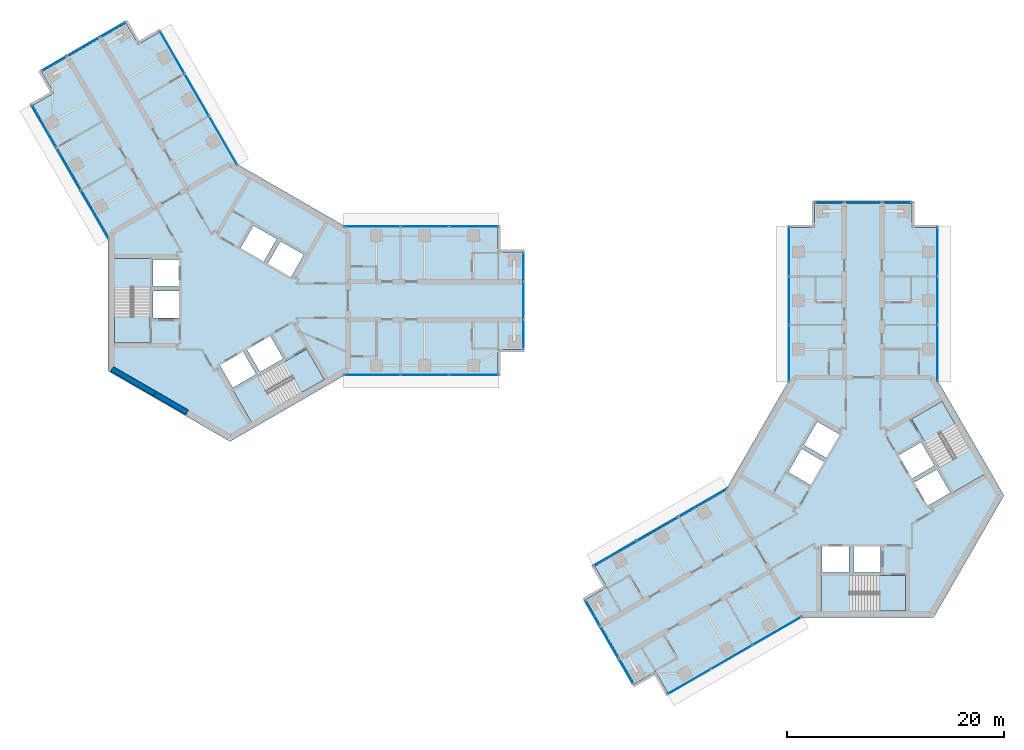
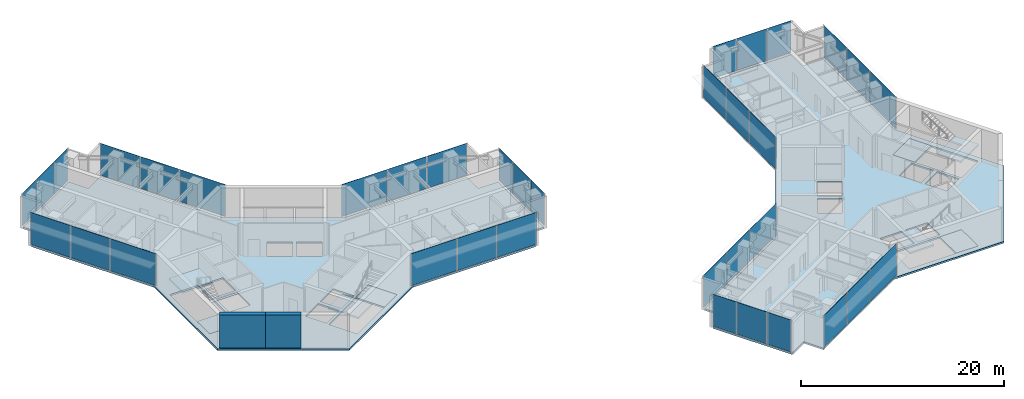
# One storey, part 10 of 17: 36 plates, 10 slabs, 2 walls, 16 elements without a shape of their own.
"""IFC4 building model written with IfcOpenShell, lengths in metres."""

from ifc_helpers import new_model, si_unit, direction, frame, frame_2d, origin, origin_2d, place, context, subcontext, project, spatial, polyline, rectangle, outline, extrude, material, layer, layer_set, type_object, element, aggregate, save


model = new_model("IFC4")

# Units and contexts
model_context = context("Model", 3, precision=1e-05, world=origin(), true_north=direction((0.0, 1.0)))
body_context = subcontext(model_context, "Body", "Model", "MODEL_VIEW")
ifc_project = project(units=[si_unit("LENGTHUNIT", "METRE"), si_unit("AREAUNIT", "SQUARE_METRE"), si_unit("VOLUMEUNIT", "CUBIC_METRE"), si_unit("PLANEANGLEUNIT", "RADIAN"), si_unit("MASSUNIT", "GRAM", prefix="KILO")], contexts=[model_context])

# Site, building, storey
site_placement = place(None, origin())
site = spatial("IfcSite", under=ifc_project, at=site_placement, CompositionType="ELEMENT")
building_placement = place(site_placement, origin())
building = spatial("IfcBuilding", under=site, at=building_placement, Name="Upepo Twin Towers", CompositionType="ELEMENT")
storey_placement = place(building_placement, frame((0.0, 0.0, 194.5)))
storey = spatial("IfcBuildingStorey", under=building, at=storey_placement, Name="L47", CompositionType="ELEMENT", Elevation=194.5)

# Curtain wall, plates
ifc_material_1 = material(Name="Aluminium and fritted glass", Category="aluminium")
curtain_wall_type = type_object("IfcCurtainWallType", Name="Tower curtain wall TW3, fritted glass", PredefinedType="NOTDEFINED", material=ifc_material_1)
curtain_wall_1_placement = place(storey_placement, origin())
curtain_wall_1 = element("IfcCurtainWall", 1, at=curtain_wall_1_placement, inside=storey, type_object=curtain_wall_type, Name="T1 L47 wing A flank L curtain wall", PredefinedType="NOTDEFINED")
ifc_material_2 = material(Name="Ceramic-fritted laminated glass", Category="glass")
ifc_layer_1 = layer(ifc_material_2, 0.031982421875)
ifc_layer_set_1 = layer_set([ifc_layer_1], Name="Fritted glass panel, 55 per cent dot frit, 32 mm double glazed")
plate_type_1 = type_object("IfcPlateType", Name="Fritted glass panel, 55 per cent dot frit, 32 mm double glazed", PredefinedType="CURTAIN_PANEL", material=ifc_layer_set_1)
plate_1_placement = place(storey_placement, frame((13.134765625, 6.85009765625, 0.14990234375), z_axis=(0.0, 0.0, 1.0), x_axis=(1.0, 0.0, 0.0)))
plate_1 = element("IfcPlate", 2, at=plate_1_placement, type_object=plate_type_1, Name="T1 L47 wing A flank L curtain wall panel 1", PredefinedType="CURTAIN_PANEL", context=body_context, shape_type="SweptSolid", body=[
    extrude(rectangle(XDim=5.165283203125, YDim=0.031982421875, at=origin_2d()), origin(), (0.0, 0.0, 1.0), 3.85009765625),
])
plate_2_placement = place(storey_placement, frame((18.0, 6.85009765625, 0.14990234375), z_axis=(0.0, 0.0, 1.0), x_axis=(1.0, 0.0, 0.0)))
plate_2 = element("IfcPlate", 3, at=plate_2_placement, type_object=plate_type_1, Name="T1 L47 wing A flank L curtain wall panel 2", PredefinedType="CURTAIN_PANEL", context=body_context, shape_type="SweptSolid", body=[
    extrude(rectangle(XDim=4.43505859375, YDim=0.031982421875, at=origin_2d()), origin(), (0.0, 0.0, 1.0), 3.85009765625),
])
plate_3_placement = place(storey_placement, frame((22.53369140625, 6.85009765625, 0.14990234375), z_axis=(0.0, 0.0, 1.0), x_axis=(1.0, 0.0, 0.0)))
plate_3 = element("IfcPlate", 4, at=plate_3_placement, type_object=plate_type_1, Name="T1 L47 wing A flank L curtain wall panel 3", PredefinedType="CURTAIN_PANEL", context=body_context, shape_type="SweptSolid", body=[
    extrude(rectangle(XDim=4.50244140625, YDim=0.031982421875, at=origin_2d()), origin(), (0.0, 0.0, 1.0), 3.85009765625),
])
aggregate(curtain_wall_1, [plate_1, plate_2, plate_3])

curtain_wall_2_placement = place(storey_placement, origin())
curtain_wall_2 = element("IfcCurtainWall", 5, at=curtain_wall_2_placement, inside=storey, type_object=curtain_wall_type, Name="T1 L47 wing A flank R curtain wall", PredefinedType="NOTDEFINED")
plate_4_placement = place(storey_placement, frame((22.53369140625, -6.85009765625, 0.14990234375), z_axis=(0.0, 0.0, 1.0), x_axis=(-1.0, 0.0, 0.0)))
plate_4 = element("IfcPlate", 6, at=plate_4_placement, type_object=plate_type_1, Name="T1 L47 wing A flank R curtain wall panel 1", PredefinedType="CURTAIN_PANEL", context=body_context, shape_type="SweptSolid", body=[
    extrude(rectangle(XDim=4.50244140625, YDim=0.031982421875, at=origin_2d()), origin(), (0.0, 0.0, 1.0), 3.85009765625),
])
plate_5_placement = place(storey_placement, frame((18.0, -6.85009765625, 0.14990234375), z_axis=(0.0, 0.0, 1.0), x_axis=(-1.0, 0.0, 0.0)))
plate_5 = element("IfcPlate", 7, at=plate_5_placement, type_object=plate_type_1, Name="T1 L47 wing A flank R curtain wall panel 2", PredefinedType="CURTAIN_PANEL", context=body_context, shape_type="SweptSolid", body=[
    extrude(rectangle(XDim=4.43505859375, YDim=0.031982421875, at=origin_2d()), origin(), (0.0, 0.0, 1.0), 3.85009765625),
])
plate_6_placement = place(storey_placement, frame((13.134765625, -6.85009765625, 0.14990234375), z_axis=(0.0, 0.0, 1.0), x_axis=(-1.0, 0.0, 0.0)))
plate_6 = element("IfcPlate", 8, at=plate_6_placement, type_object=plate_type_1, Name="T1 L47 wing A flank R curtain wall panel 3", PredefinedType="CURTAIN_PANEL", context=body_context, shape_type="SweptSolid", body=[
    extrude(rectangle(XDim=5.165283203125, YDim=0.031982421875, at=origin_2d()), origin(), (0.0, 0.0, 1.0), 3.85009765625),
])
aggregate(curtain_wall_2, [plate_4, plate_5, plate_6])

# Curtain wall, plate
curtain_wall_3_placement = place(storey_placement, origin())
curtain_wall_3 = element("IfcCurtainWall", 9, at=curtain_wall_3_placement, inside=storey, type_object=curtain_wall_type, Name="T1 L47 wing A nose curtain wall", PredefinedType="NOTDEFINED")
plate_7_placement = place(storey_placement, frame((27.10009765625, 0.0, 0.14990234375), z_axis=(0.0, 0.0, 1.0), x_axis=(0.0, 1.0, 0.0)))
plate_7 = element("IfcPlate", 10, at=plate_7_placement, type_object=plate_type_1, Name="T1 L47 wing A nose curtain wall panel 2", PredefinedType="CURTAIN_PANEL", context=body_context, shape_type="SweptSolid", body=[
    extrude(rectangle(XDim=3.43505859375, YDim=0.031982421875, at=origin_2d()), origin(), (0.0, 0.0, 1.0), 3.85009765625),
])

# Curtain wall, plates
curtain_wall_4_placement = place(storey_placement, origin())
curtain_wall_4 = element("IfcCurtainWall", 11, at=curtain_wall_4_placement, inside=storey, type_object=curtain_wall_type, Name="T1 L47 wing B flank L curtain wall", PredefinedType="NOTDEFINED")
plate_8_placement = place(storey_placement, frame((-12.499755859375, 7.9501953125, 0.14990234375), z_axis=(0.0, 0.0, 1.0), x_axis=(-0.500000026527, 0.866025388469, 0.0)))
plate_8 = element("IfcPlate", 12, at=plate_8_placement, type_object=plate_type_1, Name="T1 L47 wing B flank L curtain wall panel 1", PredefinedType="CURTAIN_PANEL", context=body_context, shape_type="SweptSolid", body=[
    extrude(rectangle(XDim=5.165283203125, YDim=0.031982421875, at=origin_2d()), origin(), (0.0, 0.0, 1.0), 3.85009765625),
])
plate_9_placement = place(storey_placement, frame((-14.932373046875, 12.16357421875, 0.14990234375), z_axis=(0.0, 0.0, 1.0), x_axis=(-0.500000026527, 0.866025388469, 0.0)))
plate_9 = element("IfcPlate", 13, at=plate_9_placement, type_object=plate_type_1, Name="T1 L47 wing B flank L curtain wall panel 2", PredefinedType="CURTAIN_PANEL", context=body_context, shape_type="SweptSolid", body=[
    extrude(rectangle(XDim=4.43505859375, YDim=0.031982421875, at=origin_2d()), origin(), (0.0, 0.0, 1.0), 3.85009765625),
])
plate_10_placement = place(storey_placement, frame((-17.19921875, 16.08984375, 0.14990234375), z_axis=(0.0, 0.0, 1.0), x_axis=(-0.500000026527, 0.866025388469, 0.0)))
plate_10 = element("IfcPlate", 14, at=plate_10_placement, type_object=plate_type_1, Name="T1 L47 wing B flank L curtain wall panel 3", PredefinedType="CURTAIN_PANEL", context=body_context, shape_type="SweptSolid", body=[
    extrude(rectangle(XDim=4.50244140625, YDim=0.031982421875, at=origin_2d()), origin(), (0.0, 0.0, 1.0), 3.85009765625),
])
aggregate(curtain_wall_4, [plate_8, plate_9, plate_10])

curtain_wall_5_placement = place(storey_placement, origin())
curtain_wall_5 = element("IfcCurtainWall", 15, at=curtain_wall_5_placement, inside=storey, type_object=curtain_wall_type, Name="T1 L47 wing B flank R curtain wall", PredefinedType="NOTDEFINED")
plate_11_placement = place(storey_placement, frame((-5.334716796875, 22.939697265625, 0.14990234375), z_axis=(0.0, 0.0, 1.0), x_axis=(0.500000026527, -0.866025388469, 0.0)))
plate_11 = element("IfcPlate", 16, at=plate_11_placement, type_object=plate_type_1, Name="T1 L47 wing B flank R curtain wall panel 1", PredefinedType="CURTAIN_PANEL", context=body_context, shape_type="SweptSolid", body=[
    extrude(rectangle(XDim=4.50244140625, YDim=0.031982421875, at=origin_2d()), origin(), (0.0, 0.0, 1.0), 3.85009765625),
])
plate_12_placement = place(storey_placement, frame((-3.067626953125, 19.013427734375, 0.14990234375), z_axis=(0.0, 0.0, 1.0), x_axis=(0.500000026527, -0.866025388469, 0.0)))
plate_12 = element("IfcPlate", 17, at=plate_12_placement, type_object=plate_type_1, Name="T1 L47 wing B flank R curtain wall panel 2", PredefinedType="CURTAIN_PANEL", context=body_context, shape_type="SweptSolid", body=[
    extrude(rectangle(XDim=4.43505859375, YDim=0.031982421875, at=origin_2d()), origin(), (0.0, 0.0, 1.0), 3.85009765625),
])
plate_13_placement = place(storey_placement, frame((-0.635009765625, 14.800048828125, 0.14990234375), z_axis=(0.0, 0.0, 1.0), x_axis=(0.500000026527, -0.866025388469, 0.0)))
plate_13 = element("IfcPlate", 18, at=plate_13_placement, type_object=plate_type_1, Name="T1 L47 wing B flank R curtain wall panel 3", PredefinedType="CURTAIN_PANEL", context=body_context, shape_type="SweptSolid", body=[
    extrude(rectangle(XDim=5.165283203125, YDim=0.031982421875, at=origin_2d()), origin(), (0.0, 0.0, 1.0), 3.85009765625),
])
aggregate(curtain_wall_5, [plate_11, plate_12, plate_13])

# Curtain wall, plate
curtain_wall_6_placement = place(storey_placement, origin())
curtain_wall_6 = element("IfcCurtainWall", 19, at=curtain_wall_6_placement, inside=storey, type_object=curtain_wall_type, Name="T1 L47 wing B nose curtain wall", PredefinedType="NOTDEFINED")
plate_14_placement = place(storey_placement, frame((-13.550048828125, 23.46923828125, 0.14990234375), z_axis=(0.0, 0.0, 1.0), x_axis=(-0.866025386174, -0.500000030502, 0.0)))
plate_14 = element("IfcPlate", 20, at=plate_14_placement, type_object=plate_type_1, Name="T1 L47 wing B nose curtain wall panel 2", PredefinedType="CURTAIN_PANEL", context=body_context, shape_type="SweptSolid", body=[
    extrude(rectangle(XDim=3.43505859375, YDim=0.031982421875, at=origin_2d()), origin(), (0.0, 0.0, 1.0), 3.85009765625),
])

# Curtain wall, plates
curtain_wall_7_placement = place(storey_placement, origin())
curtain_wall_7 = element("IfcCurtainWall", 21, at=curtain_wall_7_placement, inside=storey, type_object=curtain_wall_type, Name="T2 L47 wing A flank L curtain wall", PredefinedType="NOTDEFINED")
plate_15_placement = place(storey_placement, frame((51.64990234375, -4.865234375, 0.14990234375), z_axis=(0.0, 0.0, 1.0), x_axis=(0.0, 1.0, 0.0)))
plate_15 = element("IfcPlate", 22, at=plate_15_placement, type_object=plate_type_1, Name="T2 L47 wing A flank L curtain wall panel 1", PredefinedType="CURTAIN_PANEL", context=body_context, shape_type="SweptSolid", body=[
    extrude(rectangle(XDim=5.165283203125, YDim=0.031982421875, at=origin_2d()), origin(), (0.0, 0.0, 1.0), 3.85009765625),
])
plate_16_placement = place(storey_placement, frame((51.64990234375, 0.0, 0.14990234375), z_axis=(0.0, 0.0, 1.0), x_axis=(0.0, 1.0, 0.0)))
plate_16 = element("IfcPlate", 23, at=plate_16_placement, type_object=plate_type_1, Name="T2 L47 wing A flank L curtain wall panel 2", PredefinedType="CURTAIN_PANEL", context=body_context, shape_type="SweptSolid", body=[
    extrude(rectangle(XDim=4.43505859375, YDim=0.031982421875, at=origin_2d()), origin(), (0.0, 0.0, 1.0), 3.85009765625),
])
plate_17_placement = place(storey_placement, frame((51.64990234375, 4.53369140625, 0.14990234375), z_axis=(0.0, 0.0, 1.0), x_axis=(0.0, 1.0, 0.0)))
plate_17 = element("IfcPlate", 24, at=plate_17_placement, type_object=plate_type_1, Name="T2 L47 wing A flank L curtain wall panel 3", PredefinedType="CURTAIN_PANEL", context=body_context, shape_type="SweptSolid", body=[
    extrude(rectangle(XDim=4.50244140625, YDim=0.031982421875, at=origin_2d()), origin(), (0.0, 0.0, 1.0), 3.85009765625),
])
aggregate(curtain_wall_7, [plate_15, plate_16, plate_17])

curtain_wall_8_placement = place(storey_placement, origin())
curtain_wall_8 = element("IfcCurtainWall", 25, at=curtain_wall_8_placement, inside=storey, type_object=curtain_wall_type, Name="T2 L47 wing A flank R curtain wall", PredefinedType="NOTDEFINED")
plate_18_placement = place(storey_placement, frame((65.35009765625, 4.53369140625, 0.14990234375), z_axis=(0.0, 0.0, 1.0), x_axis=(0.0, -1.0, 0.0)))
plate_18 = element("IfcPlate", 26, at=plate_18_placement, type_object=plate_type_1, Name="T2 L47 wing A flank R curtain wall panel 1", PredefinedType="CURTAIN_PANEL", context=body_context, shape_type="SweptSolid", body=[
    extrude(rectangle(XDim=4.50244140625, YDim=0.031982421875, at=origin_2d()), origin(), (0.0, 0.0, 1.0), 3.85009765625),
])
plate_19_placement = place(storey_placement, frame((65.35009765625, 0.0, 0.14990234375), z_axis=(0.0, 0.0, 1.0), x_axis=(0.0, -1.0, 0.0)))
plate_19 = element("IfcPlate", 27, at=plate_19_placement, type_object=plate_type_1, Name="T2 L47 wing A flank R curtain wall panel 2", PredefinedType="CURTAIN_PANEL", context=body_context, shape_type="SweptSolid", body=[
    extrude(rectangle(XDim=4.43505859375, YDim=0.031982421875, at=origin_2d()), origin(), (0.0, 0.0, 1.0), 3.85009765625),
])
plate_20_placement = place(storey_placement, frame((65.35009765625, -4.865234375, 0.14990234375), z_axis=(0.0, 0.0, 1.0), x_axis=(0.0, -1.0, 0.0)))
plate_20 = element("IfcPlate", 28, at=plate_20_placement, type_object=plate_type_1, Name="T2 L47 wing A flank R curtain wall panel 3", PredefinedType="CURTAIN_PANEL", context=body_context, shape_type="SweptSolid", body=[
    extrude(rectangle(XDim=5.165283203125, YDim=0.031982421875, at=origin_2d()), origin(), (0.0, 0.0, 1.0), 3.85009765625),
])
aggregate(curtain_wall_8, [plate_18, plate_19, plate_20])

# Curtain wall, plate
curtain_wall_9_placement = place(storey_placement, origin())
curtain_wall_9 = element("IfcCurtainWall", 29, at=curtain_wall_9_placement, inside=storey, type_object=curtain_wall_type, Name="T2 L47 wing A nose curtain wall", PredefinedType="NOTDEFINED")
plate_21_placement = place(storey_placement, frame((58.5, 9.10009765625, 0.14990234375), z_axis=(0.0, 0.0, 1.0), x_axis=(-1.0, 0.0, 0.0)))
plate_21 = element("IfcPlate", 30, at=plate_21_placement, type_object=plate_type_1, Name="T2 L47 wing A nose curtain wall panel 2", PredefinedType="CURTAIN_PANEL", context=body_context, shape_type="SweptSolid", body=[
    extrude(rectangle(XDim=3.43505859375, YDim=0.031982421875, at=origin_2d()), origin(), (0.0, 0.0, 1.0), 3.85009765625),
])

# Curtain wall, plates
curtain_wall_10_placement = place(storey_placement, origin())
curtain_wall_10 = element("IfcCurtainWall", 31, at=curtain_wall_10_placement, inside=storey, type_object=curtain_wall_type, Name="T2 L47 wing B flank L curtain wall", PredefinedType="NOTDEFINED")
plate_22_placement = place(storey_placement, frame((50.5498046875, -30.499755859375, 0.14990234375), z_axis=(0.0, 0.0, 1.0), x_axis=(-0.866025388469, -0.500000026527, 0.0)))
plate_22 = element("IfcPlate", 32, at=plate_22_placement, type_object=plate_type_1, Name="T2 L47 wing B flank L curtain wall panel 1", PredefinedType="CURTAIN_PANEL", context=body_context, shape_type="SweptSolid", body=[
    extrude(rectangle(XDim=5.165283203125, YDim=0.031982421875, at=origin_2d()), origin(), (0.0, 0.0, 1.0), 3.85009765625),
])
plate_23_placement = place(storey_placement, frame((46.33642578125, -32.932373046875, 0.14990234375), z_axis=(0.0, 0.0, 1.0), x_axis=(-0.866025388469, -0.500000026527, 0.0)))
plate_23 = element("IfcPlate", 33, at=plate_23_placement, type_object=plate_type_1, Name="T2 L47 wing B flank L curtain wall panel 2", PredefinedType="CURTAIN_PANEL", context=body_context, shape_type="SweptSolid", body=[
    extrude(rectangle(XDim=4.43505859375, YDim=0.031982421875, at=origin_2d()), origin(), (0.0, 0.0, 1.0), 3.85009765625),
])
plate_24_placement = place(storey_placement, frame((42.41015625, -35.19921875, 0.14990234375), z_axis=(0.0, 0.0, 1.0), x_axis=(-0.866025388469, -0.500000026527, 0.0)))
plate_24 = element("IfcPlate", 34, at=plate_24_placement, type_object=plate_type_1, Name="T2 L47 wing B flank L curtain wall panel 3", PredefinedType="CURTAIN_PANEL", context=body_context, shape_type="SweptSolid", body=[
    extrude(rectangle(XDim=4.50244140625, YDim=0.031982421875, at=origin_2d()), origin(), (0.0, 0.0, 1.0), 3.85009765625),
])
aggregate(curtain_wall_10, [plate_22, plate_23, plate_24])

curtain_wall_11_placement = place(storey_placement, origin())
curtain_wall_11 = element("IfcCurtainWall", 35, at=curtain_wall_11_placement, inside=storey, type_object=curtain_wall_type, Name="T2 L47 wing B flank R curtain wall", PredefinedType="NOTDEFINED")
plate_25_placement = place(storey_placement, frame((35.560302734375, -23.334716796875, 0.14990234375), z_axis=(0.0, 0.0, 1.0), x_axis=(0.866025388469, 0.500000026527, 0.0)))
plate_25 = element("IfcPlate", 36, at=plate_25_placement, type_object=plate_type_1, Name="T2 L47 wing B flank R curtain wall panel 1", PredefinedType="CURTAIN_PANEL", context=body_context, shape_type="SweptSolid", body=[
    extrude(rectangle(XDim=4.50244140625, YDim=0.031982421875, at=origin_2d()), origin(), (0.0, 0.0, 1.0), 3.85009765625),
])
plate_26_placement = place(storey_placement, frame((39.486572265625, -21.067626953125, 0.14990234375), z_axis=(0.0, 0.0, 1.0), x_axis=(0.866025388469, 0.500000026527, 0.0)))
plate_26 = element("IfcPlate", 37, at=plate_26_placement, type_object=plate_type_1, Name="T2 L47 wing B flank R curtain wall panel 2", PredefinedType="CURTAIN_PANEL", context=body_context, shape_type="SweptSolid", body=[
    extrude(rectangle(XDim=4.43505859375, YDim=0.031982421875, at=origin_2d()), origin(), (0.0, 0.0, 1.0), 3.85009765625),
])
plate_27_placement = place(storey_placement, frame((43.699951171875, -18.635009765625, 0.14990234375), z_axis=(0.0, 0.0, 1.0), x_axis=(0.866025388469, 0.500000026527, 0.0)))
plate_27 = element("IfcPlate", 38, at=plate_27_placement, type_object=plate_type_1, Name="T2 L47 wing B flank R curtain wall panel 3", PredefinedType="CURTAIN_PANEL", context=body_context, shape_type="SweptSolid", body=[
    extrude(rectangle(XDim=5.165283203125, YDim=0.031982421875, at=origin_2d()), origin(), (0.0, 0.0, 1.0), 3.85009765625),
])
aggregate(curtain_wall_11, [plate_25, plate_26, plate_27])

# Curtain wall, plate
curtain_wall_12_placement = place(storey_placement, origin())
curtain_wall_12 = element("IfcCurtainWall", 39, at=curtain_wall_12_placement, inside=storey, type_object=curtain_wall_type, Name="T2 L47 wing B nose curtain wall", PredefinedType="NOTDEFINED")
plate_28_placement = place(storey_placement, frame((35.03076171875, -31.550048828125, 0.14990234375), z_axis=(0.0, 0.0, 1.0), x_axis=(0.500000030502, -0.866025386174, 0.0)))
plate_28 = element("IfcPlate", 40, at=plate_28_placement, type_object=plate_type_1, Name="T2 L47 wing B nose curtain wall panel 2", PredefinedType="CURTAIN_PANEL", context=body_context, shape_type="SweptSolid", body=[
    extrude(rectangle(XDim=3.43505859375, YDim=0.031982421875, at=origin_2d()), origin(), (0.0, 0.0, 1.0), 3.85009765625),
])

# Plate
ifc_material_3 = material(Name="Clear laminated glass in opening sash", Category="glass")
ifc_layer_2 = layer(ifc_material_3, 0.031982421875)
ifc_layer_set_2 = layer_set([ifc_layer_2], Name="Operable glass panel, 32 mm double glazed")
plate_type_2 = type_object("IfcPlateType", Name="Operable glass panel, 32 mm double glazed", PredefinedType="CURTAIN_PANEL", material=ifc_layer_set_2)
plate_29_placement = place(storey_placement, frame((27.10009765625, -3.108642578125, 0.14990234375), z_axis=(0.0, 0.0, 1.0), x_axis=(0.0, 1.0, 0.0)))
plate_29 = element("IfcPlate", 41, at=plate_29_placement, type_object=plate_type_2, Name="T1 L47 wing A nose curtain wall panel 1", PredefinedType="CURTAIN_PANEL", context=body_context, shape_type="SweptSolid", body=[
    extrude(rectangle(XDim=2.652587890625, YDim=0.031982421875, at=origin_2d()), origin(), (0.0, 0.0, 1.0), 3.85009765625),
])

plate_30_placement = place(storey_placement, frame((27.10009765625, 3.108642578125, 0.14990234375), z_axis=(0.0, 0.0, 1.0), x_axis=(0.0, 1.0, 0.0)))
plate_30 = element("IfcPlate", 42, at=plate_30_placement, type_object=plate_type_2, Name="T1 L47 wing A nose curtain wall panel 3", PredefinedType="CURTAIN_PANEL", context=body_context, shape_type="SweptSolid", body=[
    extrude(rectangle(XDim=2.652587890625, YDim=0.031982421875, at=origin_2d()), origin(), (0.0, 0.0, 1.0), 3.85009765625),
])

aggregate(curtain_wall_3, [plate_29, plate_7, plate_30])

plate_31_placement = place(storey_placement, frame((-10.857666015625, 25.023681640625, 0.14990234375), z_axis=(0.0, 0.0, 1.0), x_axis=(-0.866025386174, -0.500000030502, 0.0)))
plate_31 = element("IfcPlate", 43, at=plate_31_placement, type_object=plate_type_2, Name="T1 L47 wing B nose curtain wall panel 1", PredefinedType="CURTAIN_PANEL", context=body_context, shape_type="SweptSolid", body=[
    extrude(rectangle(XDim=2.652587890625, YDim=0.031982421875, at=origin_2d()), origin(), (0.0, 0.0, 1.0), 3.85009765625),
])

plate_32_placement = place(storey_placement, frame((-16.2421875, 21.914794921875, 0.14990234375), z_axis=(0.0, 0.0, 1.0), x_axis=(-0.866025386174, -0.500000030502, 0.0)))
plate_32 = element("IfcPlate", 44, at=plate_32_placement, type_object=plate_type_2, Name="T1 L47 wing B nose curtain wall panel 3", PredefinedType="CURTAIN_PANEL", context=body_context, shape_type="SweptSolid", body=[
    extrude(rectangle(XDim=2.652587890625, YDim=0.031982421875, at=origin_2d()), origin(), (0.0, 0.0, 1.0), 3.85009765625),
])

aggregate(curtain_wall_6, [plate_31, plate_14, plate_32])

plate_33_placement = place(storey_placement, frame((61.608642578125, 9.10009765625, 0.14990234375), z_axis=(0.0, 0.0, 1.0), x_axis=(-1.0, 0.0, 0.0)))
plate_33 = element("IfcPlate", 45, at=plate_33_placement, type_object=plate_type_2, Name="T2 L47 wing A nose curtain wall panel 1", PredefinedType="CURTAIN_PANEL", context=body_context, shape_type="SweptSolid", body=[
    extrude(rectangle(XDim=2.652587890625, YDim=0.031982421875, at=origin_2d()), origin(), (0.0, 0.0, 1.0), 3.85009765625),
])

plate_34_placement = place(storey_placement, frame((55.391357421875, 9.10009765625, 0.14990234375), z_axis=(0.0, 0.0, 1.0), x_axis=(-1.0, 0.0, 0.0)))
plate_34 = element("IfcPlate", 46, at=plate_34_placement, type_object=plate_type_2, Name="T2 L47 wing A nose curtain wall panel 3", PredefinedType="CURTAIN_PANEL", context=body_context, shape_type="SweptSolid", body=[
    extrude(rectangle(XDim=2.652587890625, YDim=0.031982421875, at=origin_2d()), origin(), (0.0, 0.0, 1.0), 3.85009765625),
])

aggregate(curtain_wall_9, [plate_33, plate_21, plate_34])

plate_35_placement = place(storey_placement, frame((33.476318359375, -28.857666015625, 0.14990234375), z_axis=(0.0, 0.0, 1.0), x_axis=(0.500000030502, -0.866025386174, 0.0)))
plate_35 = element("IfcPlate", 47, at=plate_35_placement, type_object=plate_type_2, Name="T2 L47 wing B nose curtain wall panel 1", PredefinedType="CURTAIN_PANEL", context=body_context, shape_type="SweptSolid", body=[
    extrude(rectangle(XDim=2.652587890625, YDim=0.031982421875, at=origin_2d()), origin(), (0.0, 0.0, 1.0), 3.85009765625),
])

plate_36_placement = place(storey_placement, frame((36.585205078125, -34.2421875, 0.14990234375), z_axis=(0.0, 0.0, 1.0), x_axis=(0.500000030502, -0.866025386174, 0.0)))
plate_36 = element("IfcPlate", 48, at=plate_36_placement, type_object=plate_type_2, Name="T2 L47 wing B nose curtain wall panel 3", PredefinedType="CURTAIN_PANEL", context=body_context, shape_type="SweptSolid", body=[
    extrude(rectangle(XDim=2.652587890625, YDim=0.031982421875, at=origin_2d()), origin(), (0.0, 0.0, 1.0), 3.85009765625),
])

aggregate(curtain_wall_12, [plate_35, plate_28, plate_36])

# Stair, slabs
ifc_material_4 = material(Name="Concrete C40/50", Category="concrete")
stair_type = type_object("IfcStairType", Name="Core stair, two flights", PredefinedType="HALF_TURN_STAIR", material=ifc_material_4)
stair_1_placement = place(storey_placement, origin())
stair_1 = element("IfcStair", 49, at=stair_1_placement, inside=storey, type_object=stair_type, Name="T1 stair S1 L47", PredefinedType="HALF_TURN_STAIR")
ifc_material_5 = material(Name="Concrete C40/50", Category="concrete")
ifc_layer_3 = layer(ifc_material_5, 0.199951171875)
ifc_layer_set_3 = layer_set([ifc_layer_3], Name="Concrete C40/50")
slab_type_1 = type_object("IfcSlabType", Name="Stair landing 200 RC", PredefinedType="LANDING", material=ifc_layer_set_3)
slab_1_placement = place(storey_placement, frame((0.0, 0.0, -0.199951171875)))
slab_1 = element("IfcSlab", 50, at=slab_1_placement, type_object=slab_type_1, Name="Stair S1 landing 1", PredefinedType="LANDING", context=body_context, shape_type="SweptSolid", body=[
    extrude(outline(polyline([(-7.39990234375, -1.419921875), (-10.658447265625, -1.419921875), (-10.658447265625, -3.89990234375), (-7.39990234375, -3.89990234375), (-7.39990234375, -1.419921875)])), origin(), (0.0, 0.0, 1.0), 0.199951171875),
])
slab_2_placement = place(storey_placement, frame((0.0, 0.0, 1.800048828125)))
slab_2 = element("IfcSlab", 51, at=slab_2_placement, type_object=slab_type_1, Name="Stair S1 landing 2", PredefinedType="LANDING", context=body_context, shape_type="SweptSolid", body=[
    extrude(outline(polyline([(-7.300048828125, 3.89990234375), (-10.75830078125, 3.89990234375), (-10.75830078125, 1.179931640625), (-7.300048828125, 1.179931640625), (-7.300048828125, 3.89990234375)])), origin(), (0.0, 0.0, 1.0), 0.199951171875),
])
aggregate(stair_1, [slab_1, slab_2])

stair_2_placement = place(storey_placement, origin())
stair_2 = element("IfcStair", 52, at=stair_2_placement, inside=storey, type_object=stair_type, Name="T1 stair S2 L47", PredefinedType="HALF_TURN_STAIR")
slab_3_placement = place(storey_placement, frame((0.0, 0.0, -0.199951171875)))
slab_3 = element("IfcSlab", 53, at=slab_3_placement, type_object=slab_type_1, Name="Stair S2 landing 1", PredefinedType="LANDING", context=body_context, shape_type="SweptSolid", body=[
    extrude(outline(polyline([(4.9296875, -5.698486328125), (6.558837890625, -8.520263671875), (8.70654296875, -7.2802734375), (7.077392578125, -4.45849609375), (4.9296875, -5.698486328125)])), origin(), (0.0, 0.0, 1.0), 0.199951171875),
])
slab_4_placement = place(storey_placement, frame((0.0, 0.0, 1.800048828125)))
slab_4 = element("IfcSlab", 54, at=slab_4_placement, type_object=slab_type_1, Name="Stair S2 landing 2", PredefinedType="LANDING", context=body_context, shape_type="SweptSolid", body=[
    extrude(outline(polyline([(0.2724609375, -8.27197265625), (2.001708984375, -11.26708984375), (4.357177734375, -9.906982421875), (2.628173828125, -6.911865234375), (0.2724609375, -8.27197265625)])), origin(), (0.0, 0.0, 1.0), 0.199951171875),
])
aggregate(stair_2, [slab_3, slab_4])

stair_3_placement = place(storey_placement, origin())
stair_3 = element("IfcStair", 55, at=stair_3_placement, inside=storey, type_object=stair_type, Name="T2 stair S1 L47", PredefinedType="HALF_TURN_STAIR")
slab_5_placement = place(storey_placement, frame((0.0, 0.0, -0.199951171875)))
slab_5 = element("IfcSlab", 56, at=slab_5_placement, type_object=slab_type_1, Name="Stair S1 landing 1", PredefinedType="LANDING", context=body_context, shape_type="SweptSolid", body=[
    extrude(outline(polyline([(59.919921875, -25.39990234375), (59.919921875, -28.658447265625), (62.39990234375, -28.658447265625), (62.39990234375, -25.39990234375), (59.919921875, -25.39990234375)])), origin(), (0.0, 0.0, 1.0), 0.199951171875),
])
slab_6_placement = place(storey_placement, frame((0.0, 0.0, 1.800048828125)))
slab_6 = element("IfcSlab", 57, at=slab_6_placement, type_object=slab_type_1, Name="Stair S1 landing 2", PredefinedType="LANDING", context=body_context, shape_type="SweptSolid", body=[
    extrude(outline(polyline([(54.60009765625, -25.300048828125), (54.60009765625, -28.75830078125), (57.320068359375, -28.75830078125), (57.320068359375, -25.300048828125), (54.60009765625, -25.300048828125)])), origin(), (0.0, 0.0, 1.0), 0.199951171875),
])
aggregate(stair_3, [slab_5, slab_6])

stair_4_placement = place(storey_placement, origin())
stair_4 = element("IfcStair", 58, at=stair_4_placement, inside=storey, type_object=stair_type, Name="T2 stair S2 L47", PredefinedType="HALF_TURN_STAIR")
slab_7_placement = place(storey_placement, frame((0.0, 0.0, -0.199951171875)))
slab_7 = element("IfcSlab", 59, at=slab_7_placement, type_object=slab_type_1, Name="Stair S2 landing 1", PredefinedType="LANDING", context=body_context, shape_type="SweptSolid", body=[
    extrude(outline(polyline([(64.198486328125, -13.0703125), (67.020263671875, -11.441162109375), (65.7802734375, -9.29345703125), (62.95849609375, -10.922607421875), (64.198486328125, -13.0703125)])), origin(), (0.0, 0.0, 1.0), 0.199951171875),
])
slab_8_placement = place(storey_placement, frame((0.0, 0.0, 1.800048828125)))
slab_8 = element("IfcSlab", 60, at=slab_8_placement, type_object=slab_type_1, Name="Stair S2 landing 2", PredefinedType="LANDING", context=body_context, shape_type="SweptSolid", body=[
    extrude(outline(polyline([(66.77197265625, -17.7275390625), (69.76708984375, -15.998291015625), (68.406982421875, -13.642822265625), (65.411865234375, -15.371826171875), (66.77197265625, -17.7275390625)])), origin(), (0.0, 0.0, 1.0), 0.199951171875),
])
aggregate(stair_4, [slab_7, slab_8])

# Slabs
ifc_material_6 = material(Name="Concrete C40/50", Category="concrete")
ifc_layer_4 = layer(ifc_material_6, 0.199951171875)
ifc_layer_set_4 = layer_set([ifc_layer_4], Name="Concrete C40/50")
slab_type_2 = type_object("IfcSlabType", Name="Tower floor slab 200 RC", PredefinedType="FLOOR", material=ifc_layer_set_4)
slab_9_placement = place(storey_placement, frame((0.0, 0.0, -0.199951171875)))
element("IfcSlab", 61, at=slab_9_placement, inside=storey, type_object=slab_type_2, Name="T1 L47 floor slab", PredefinedType="FLOOR", context=body_context, shape_type="SweptSolid", body=[
    extrude(outline(polyline([(10.825439453125, 6.75), (24.75, 6.75), (24.75, 4.5), (27.0, 4.5), (27.0, -4.5), (24.75, -4.5), (24.75, -6.75), (10.825439453125, -6.75), (0.0, -13.0), (-11.25830078125, -6.5), (-11.25830078125, 6.0), (-18.220703125, 18.05908203125), (-16.272216796875, 19.18408203125), (-17.397216796875, 21.132568359375), (-9.602783203125, 25.632568359375), (-8.477783203125, 23.68408203125), (-6.529296875, 24.80908203125), (0.43310546875, 12.75), (10.825439453125, 6.75)]), holes=[polyline([(5.640869140625, 2.17041015625), (6.8408203125, 4.248779296875), (4.67578125, 5.498779296875), (3.475830078125, 3.42041015625), (5.640869140625, 2.17041015625)]), polyline([(3.12939453125, 3.620361328125), (4.329345703125, 5.69873046875), (2.164306640625, 6.94873046875), (0.96435546875, 4.870361328125), (3.12939453125, 3.620361328125)]), polyline([(-4.699951171875, 3.800048828125), (-7.10009765625, 3.800048828125), (-7.10009765625, 1.300048828125), (-4.699951171875, 1.300048828125), (-4.699951171875, 3.800048828125)]), polyline([(-4.699951171875, 0.89990234375), (-7.10009765625, 0.89990234375), (-7.10009765625, -1.60009765625), (-4.699951171875, -1.60009765625), (-4.699951171875, 0.89990234375)]), polyline([(-7.39990234375, 3.89990234375), (-10.658447265625, 3.89990234375), (-10.658447265625, -3.89990234375), (-7.39990234375, -3.89990234375), (-7.39990234375, 3.89990234375)]), polyline([(-0.94091796875, -5.97021484375), (0.259033203125, -8.048828125), (2.424072265625, -6.798828125), (1.22412109375, -4.72021484375), (-0.94091796875, -5.97021484375)]), polyline([(1.570556640625, -4.520263671875), (2.7705078125, -6.598876953125), (4.935546875, -5.348876953125), (3.735595703125, -3.270263671875), (1.570556640625, -4.520263671875)]), polyline([(0.322509765625, -8.358642578125), (1.95166015625, -11.180419921875), (8.70654296875, -7.2802734375), (7.077392578125, -4.45849609375), (0.322509765625, -8.358642578125)])]), origin(), (0.0, 0.0, 1.0), 0.199951171875),
])
slab_10_placement = place(storey_placement, frame((0.0, 0.0, -0.199951171875)))
element("IfcSlab", 62, at=slab_10_placement, inside=storey, type_object=slab_type_2, Name="T2 L47 floor slab", PredefinedType="FLOOR", context=body_context, shape_type="SweptSolid", body=[
    extrude(outline(polyline([(51.75, -7.174560546875), (51.75, 6.75), (54.0, 6.75), (54.0, 9.0), (63.0, 9.0), (63.0, 6.75), (65.25, 6.75), (65.25, -7.174560546875), (71.5, -18.0), (65.0, -29.25830078125), (52.5, -29.25830078125), (40.44091796875, -36.220703125), (39.31591796875, -34.272216796875), (37.367431640625, -35.397216796875), (32.867431640625, -27.602783203125), (34.81591796875, -26.477783203125), (33.69091796875, -24.529296875), (45.75, -17.56689453125), (51.75, -7.174560546875)]), holes=[polyline([(56.32958984375, -12.359130859375), (54.251220703125, -11.1591796875), (53.001220703125, -13.32421875), (55.07958984375, -14.524169921875), (56.32958984375, -12.359130859375)]), polyline([(54.879638671875, -14.87060546875), (52.80126953125, -13.670654296875), (51.55126953125, -15.835693359375), (53.629638671875, -17.03564453125), (54.879638671875, -14.87060546875)]), polyline([(54.699951171875, -22.699951171875), (54.699951171875, -25.10009765625), (57.199951171875, -25.10009765625), (57.199951171875, -22.699951171875), (54.699951171875, -22.699951171875)]), polyline([(57.60009765625, -22.699951171875), (57.60009765625, -25.10009765625), (60.10009765625, -25.10009765625), (60.10009765625, -22.699951171875), (57.60009765625, -22.699951171875)]), polyline([(54.60009765625, -25.39990234375), (54.60009765625, -28.658447265625), (62.39990234375, -28.658447265625), (62.39990234375, -25.39990234375), (54.60009765625, -25.39990234375)]), polyline([(64.47021484375, -18.94091796875), (66.548828125, -17.740966796875), (65.298828125, -15.575927734375), (63.22021484375, -16.77587890625), (64.47021484375, -18.94091796875)]), polyline([(63.020263671875, -16.429443359375), (65.098876953125, -15.2294921875), (63.848876953125, -13.064453125), (61.770263671875, -14.264404296875), (63.020263671875, -16.429443359375)]), polyline([(66.858642578125, -17.677490234375), (69.680419921875, -16.04833984375), (65.7802734375, -9.29345703125), (62.95849609375, -10.922607421875), (66.858642578125, -17.677490234375)])]), origin(), (0.0, 0.0, 1.0), 0.199951171875),
])

# Walls
ifc_material_7 = material(Name="Concrete C60/75", Category="concrete")
ifc_layer_5 = layer(ifc_material_7, 0.5)
ifc_layer_set_5 = layer_set([ifc_layer_5], Name="Concrete C60/75")
wall_type = type_object("IfcWallType", Name="Core wall 500 RC", PredefinedType="SHEAR", material=ifc_layer_set_5)
wall_1_placement = place(storey_placement, frame((-10.908447265625, -6.2978515625, 0.0), z_axis=(0.0, 0.0, 1.0), x_axis=(0.866034513004, -0.499984222037, 0.0)))
element("IfcWall", 63, at=wall_1_placement, inside=storey, type_object=wall_type, Name="T1 core wall 240 R", PredefinedType="SHEAR", context=body_context, shape_type="SweptSolid", body=[
    extrude(rectangle(XDim=4.548095703125, YDim=0.5, at=frame_2d((2.27392578125, 0.0))), origin(), (0.0, 0.0, 1.0), 4.0),
])
wall_2_placement = place(storey_placement, frame((-6.9697265625, -8.57177734375, 0.0), z_axis=(0.0, 0.0, 1.0), x_axis=(0.866019471182, -0.500010275428, 0.0)))
element("IfcWall", 64, at=wall_2_placement, inside=storey, type_object=wall_type, Name="T1 core wall 240", PredefinedType="SHEAR", context=body_context, shape_type="SweptSolid", body=[
    extrude(rectangle(XDim=3.5, YDim=0.5, at=frame_2d((1.75, 0.0))), origin(), (0.0, 0.0, 1.0), 4.0),
])

save(model, "model.ifc")
